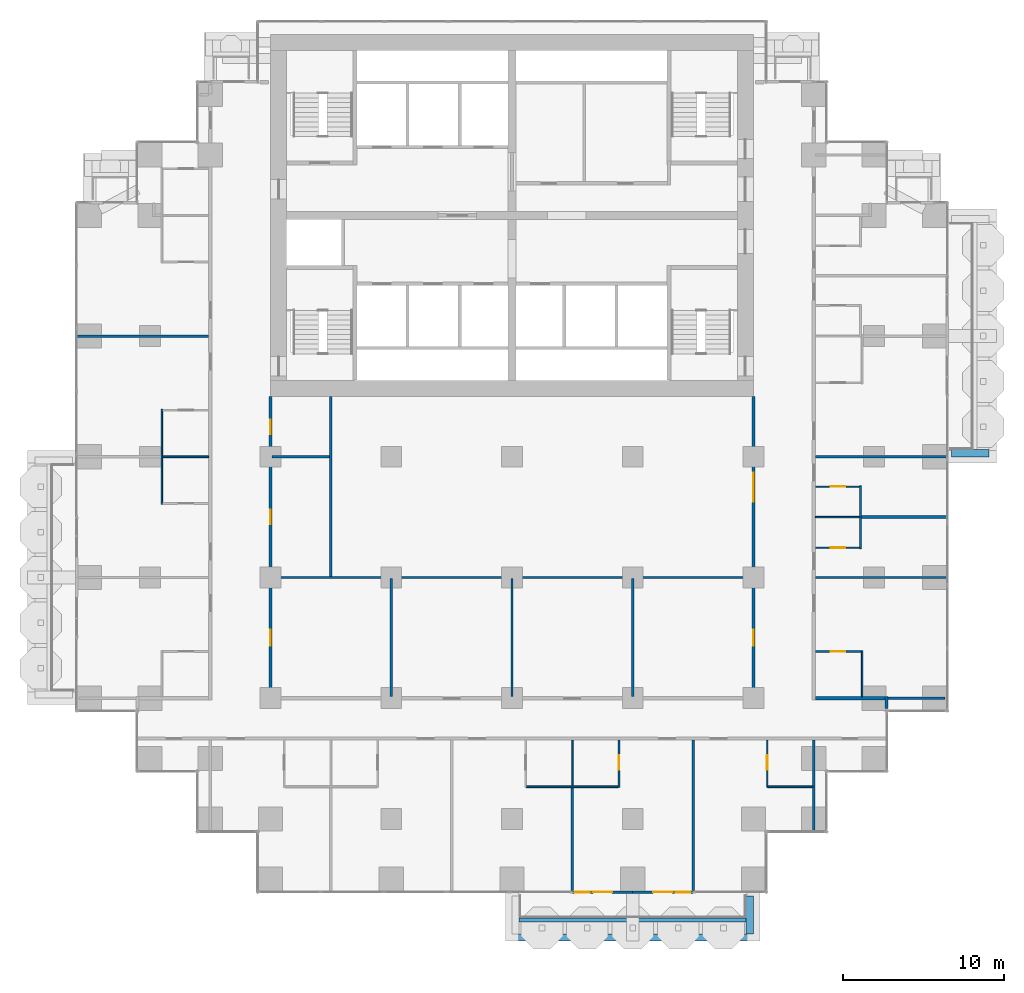
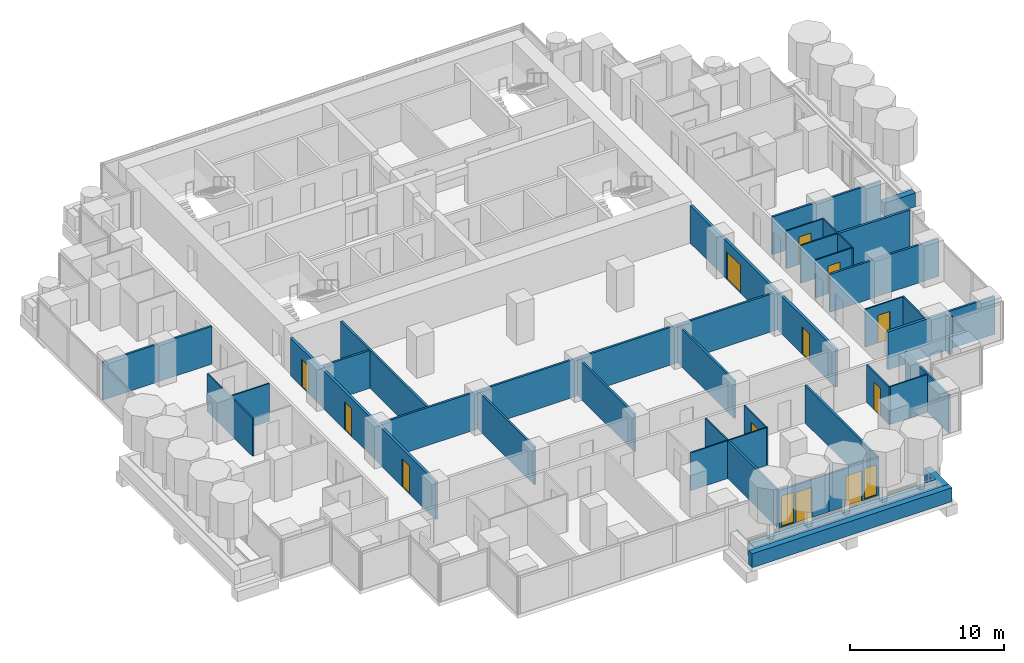
# One storey, part 12 of 19: 37 walls, 12 doors, 2 windows, 14 openings.
"""IFC4 building model written with IfcOpenShell, lengths in metres."""

from ifc_helpers import new_model, si_unit, direction, frame, frame_2d, origin, place, context, subcontext, project, spatial, rectangle, extrude, material, layer, layer_set, type_object, element, fill, save


model = new_model("IFC4")

# Units and contexts
model_context = context("Model", 3, precision=1e-05, world=origin(), true_north=direction((0.0, 1.0)))
body_context = subcontext(model_context, "Body", "Model", "MODEL_VIEW")
ifc_project = project(units=[si_unit("LENGTHUNIT", "METRE"), si_unit("AREAUNIT", "SQUARE_METRE"), si_unit("VOLUMEUNIT", "CUBIC_METRE"), si_unit("PLANEANGLEUNIT", "RADIAN"), si_unit("MASSUNIT", "GRAM", prefix="KILO")], contexts=[model_context])

# Site, building, storey
site_placement = place(None, origin())
site = spatial("IfcSite", under=ifc_project, at=site_placement, CompositionType="ELEMENT")
building_placement = place(site_placement, origin())
building = spatial("IfcBuilding", under=site, at=building_placement, Name="Pilkhan Gate Tower", CompositionType="ELEMENT")
storey_placement = place(building_placement, frame((0.0, 0.0, 79.10009765625)))
storey = spatial("IfcBuildingStorey", under=building, at=storey_placement, Name="L18", CompositionType="ELEMENT", Elevation=79.10009765625)

# Walls
ifc_material_1 = material(Name="Dense blockwork", Category="masonry")
ifc_layer_1 = layer(ifc_material_1, 0.175048828125)
ifc_layer_set_1 = layer_set([ifc_layer_1], Name="Acoustic party wall PW175")
wall_type_1 = type_object("IfcWallType", Name="Acoustic party wall PW175", PredefinedType="PARTITIONING", material=ifc_layer_set_1)
wall_1_placement = place(storey_placement, frame((96.699951171875, 63.75, 0.0), z_axis=(0.0, 0.0, 1.0), x_axis=(1.0, 0.0, 0.0)))
element("IfcWall", 1, at=wall_1_placement, inside=storey, type_object=wall_type_1, Name="Partition L18", PredefinedType="PARTITIONING", context=body_context, shape_type="SweptSolid", body=[
    extrude(rectangle(XDim=5.31494140625, YDim=0.175048828125, at=frame_2d((2.657470703125, 0.0))), origin(), (0.0, 0.0, 1.0), 3.0),
])
ifc_material_2 = material(Name="Concrete C40/50", Category="concrete")
ifc_layer_2 = layer(ifc_material_2, 0.25)
ifc_layer_set_2 = layer_set([ifc_layer_2], Name="Balcony planter BP250")
wall_type_2 = type_object("IfcWallType", Name="Balcony planter BP250", PredefinedType="USERDEFINED", material=ifc_layer_set_2)
wall_2_placement = place(storey_placement, frame((75.449951171875, 38.72509765625, 0.0), z_axis=(0.0, 0.0, 1.0), x_axis=(1.0, 0.0, 0.0)))
element("IfcWall", 2, at=wall_2_placement, inside=storey, type_object=wall_type_2, Name="Balcony planter L18 S", ObjectType="BALCONY PLANTER", PredefinedType="USERDEFINED", context=body_context, shape_type="SweptSolid", body=[
    extrude(rectangle(XDim=14.10009765625, YDim=0.25, at=frame_2d((7.050048828125, 0.0))), origin(), (0.0, 0.0, 1.0), 1.0),
])
ifc_material_3 = material(Name="Board-marked Concrete C40/50", Category="concrete")
ifc_layer_3 = layer(ifc_material_3, 0.449951171875)
ifc_layer_set_3 = layer_set([ifc_layer_3], Name="Balcony planter lip BL450")
wall_type_3 = type_object("IfcWallType", Name="Balcony planter lip BL450", PredefinedType="USERDEFINED", material=ifc_layer_set_3)
wall_3_placement = place(storey_placement, frame((75.0, 37.625, 0.0), z_axis=(0.0, 0.0, 1.0), x_axis=(1.0, 0.0, 0.0)))
element("IfcWall", 3, at=wall_3_placement, inside=storey, type_object=wall_type_3, Name="Balcony planter L18 S", ObjectType="BALCONY PLANTER", PredefinedType="USERDEFINED", context=body_context, shape_type="SweptSolid", body=[
    extrude(rectangle(XDim=15.0, YDim=0.449951171875, at=frame_2d((7.5, 0.0))), origin(), (0.0, 0.0, 1.0), 1.099853515625),
])
for number, where, z_axis, x_axis, name in (
    (4, (89.77490234375, 40.199951171875, 0.0), (0.0, 0.0, 1.0), (0.0, -1.0, 0.0), "Balcony planter L18 S"),
    (5, (102.300048828125, 67.72509765625, 0.0), (0.0, 0.0, 1.0), (1.0, 0.0, 0.0), "Balcony planter L18 E"),
):
    element("IfcWall", number, at=place(storey_placement, frame(where, z_axis=z_axis, x_axis=x_axis)), inside=storey, type_object=wall_type_3, Name=name, ObjectType="BALCONY PLANTER", PredefinedType="USERDEFINED", context=body_context, shape_type="SweptSolid", body=[
        extrude(rectangle(XDim=2.349853515625, YDim=0.449951171875, at=frame_2d((1.1748046875, 0.0))), origin(), (0.0, 0.0, 1.0), 1.099853515625),
    ])
ifc_layer_4 = layer(ifc_material_1, 0.199951171875)
ifc_layer_set_4 = layer_set([ifc_layer_4], Name="Corridor wall FW200")
wall_type_4 = type_object("IfcWallType", Name="Corridor wall FW200", PredefinedType="PARTITIONING", material=ifc_layer_set_4)
wall_4_placement = place(storey_placement, frame((93.85009765625, 52.5, 0.0), z_axis=(0.0, 0.0, 1.0), x_axis=(1.0, 0.0, 0.0)))
element("IfcWall", 6, at=wall_4_placement, inside=storey, type_object=wall_type_4, Name="Partition L18", PredefinedType="PARTITIONING", context=body_context, shape_type="SweptSolid", body=[
    extrude(rectangle(XDim=4.31494140625, YDim=0.199951171875, at=frame_2d((2.157470703125, 0.0))), origin(), (0.0, 0.0, 1.0), 3.0),
])

# Wall, openings, doors
wall_5_placement = place(storey_placement, frame((60.0, 52.39990234375, 0.0), z_axis=(0.0, 0.0, 1.0), x_axis=(0.0, 1.0, 0.0)))
wall_5 = element("IfcWall", 7, at=wall_5_placement, inside=storey, type_object=wall_type_4, Name="Partition L18", PredefinedType="PARTITIONING", context=body_context, shape_type="SweptSolid", body=[
    extrude(rectangle(XDim=18.840087890625, YDim=0.199951171875, at=frame_2d((9.419921875, 0.0))), origin(), (0.0, 0.0, 1.0), 3.0),
])
opening_1_placement = place(wall_5_placement, frame((3.35009765625, 0.0, 0.0)))
opening_1 = element("IfcOpeningElement", 8, at=opening_1_placement, cuts=wall_5, Name="Opening L18-47", PredefinedType="OPENING", context=body_context, shape_type="SweptSolid", body=[
    extrude(rectangle(XDim=1.0, YDim=2.199951171875, at=frame_2d((0.5, 1.10009765625))), frame((0.0, 0.10986328125, 0.0), z_axis=(0.0, -1.0, 0.0), x_axis=(1.0, 0.0, 0.0)), (0.0, 0.0, 1.0), 0.219970703125),
])
opening_2_placement = place(wall_5_placement, frame((10.89990234375, 0.0, 0.0)))
opening_2 = element("IfcOpeningElement", 9, at=opening_2_placement, cuts=wall_5, Name="Opening L18-51", PredefinedType="OPENING", context=body_context, shape_type="SweptSolid", body=[
    extrude(rectangle(XDim=0.89990234375, YDim=2.199951171875, at=frame_2d((0.449951171875, 1.10009765625))), frame((0.0, 0.10986328125, 0.0), z_axis=(0.0, -1.0, 0.0), x_axis=(1.0, 0.0, 0.0)), (0.0, 0.0, 1.0), 0.219970703125),
])
opening_3_placement = place(wall_5_placement, frame((16.5, 0.0, 0.0)))
opening_3 = element("IfcOpeningElement", 10, at=opening_3_placement, cuts=wall_5, Name="Opening L18-52", PredefinedType="OPENING", context=body_context, shape_type="SweptSolid", body=[
    extrude(rectangle(XDim=0.89990234375, YDim=2.199951171875, at=frame_2d((0.449951171875, 1.10009765625))), frame((0.0, 0.10986328125, 0.0), z_axis=(0.0, -1.0, 0.0), x_axis=(1.0, 0.0, 0.0)), (0.0, 0.0, 1.0), 0.219970703125),
])
ifc_material_4 = material(Name="Timber flush door, 30 minute fire resisting", Category="wood")
door_type_1 = type_object("IfcDoorType", Name="Room door D03 1000x2200", OperationType="SINGLE_SWING_LEFT", PredefinedType="DOOR", material=ifc_material_4)
door_1_placement = place(opening_1_placement, origin())
door_1 = element("IfcDoor", 11, at=door_1_placement, inside=storey, type_object=door_type_1, Name="Room door", OperationType="SINGLE_SWING_LEFT", OverallHeight=2.199951171875, OverallWidth=1.0, PredefinedType="DOOR", context=body_context, shape_type="SweptSolid", body=[
    extrude(rectangle(XDim=1.0, YDim=2.199951171875, at=frame_2d((0.5, 1.10009765625))), frame((0.0, 0.02490234375, 0.0), z_axis=(0.0, -1.0, 0.0), x_axis=(1.0, 0.0, 0.0)), (0.0, 0.0, 1.0), 0.050048828125),
])
fill(opening_1, door_1)
ifc_material_5 = material(Name="Timber flush door, 60 minute fire resisting, self-closing", Category="wood")
door_type_2 = type_object("IfcDoorType", Name="Store door D05 900x2200", OperationType="SINGLE_SWING_LEFT", PredefinedType="DOOR", material=ifc_material_5)
door_2_placement = place(opening_2_placement, origin())
door_2 = element("IfcDoor", 12, at=door_2_placement, inside=storey, type_object=door_type_2, Name="Store door", OperationType="SINGLE_SWING_RIGHT", OverallHeight=2.199951171875, OverallWidth=0.89990234375, PredefinedType="DOOR", context=body_context, shape_type="SweptSolid", body=[
    extrude(rectangle(XDim=0.89990234375, YDim=2.199951171875, at=frame_2d((0.449951171875, 1.10009765625))), frame((0.0, 0.02490234375, 0.0), z_axis=(0.0, -1.0, 0.0), x_axis=(1.0, 0.0, 0.0)), (0.0, 0.0, 1.0), 0.050048828125),
])
fill(opening_2, door_2)
door_3_placement = place(opening_3_placement, origin())
door_3 = element("IfcDoor", 13, at=door_3_placement, inside=storey, type_object=door_type_2, Name="Store door", OperationType="SINGLE_SWING_LEFT", OverallHeight=2.199951171875, OverallWidth=0.89990234375, PredefinedType="DOOR", context=body_context, shape_type="SweptSolid", body=[
    extrude(rectangle(XDim=0.89990234375, YDim=2.199951171875, at=frame_2d((0.449951171875, 1.10009765625))), frame((0.0, 0.02490234375, 0.0), z_axis=(0.0, -1.0, 0.0), x_axis=(1.0, 0.0, 0.0)), (0.0, 0.0, 1.0), 0.050048828125),
])
fill(opening_3, door_3)

wall_6_placement = place(storey_placement, frame((90.0, 52.39990234375, 0.0), z_axis=(0.0, 0.0, 1.0), x_axis=(0.0, 1.0, 0.0)))
wall_6 = element("IfcWall", 14, at=wall_6_placement, inside=storey, type_object=wall_type_4, Name="Partition L18", PredefinedType="PARTITIONING", context=body_context, shape_type="SweptSolid", body=[
    extrude(rectangle(XDim=18.840087890625, YDim=0.199951171875, at=frame_2d((9.419921875, 0.0))), origin(), (0.0, 0.0, 1.0), 3.0),
])
opening_4_placement = place(wall_6_placement, frame((3.35009765625, 0.0, 0.0)))
opening_4 = element("IfcOpeningElement", 15, at=opening_4_placement, cuts=wall_6, Name="Opening L18-50", PredefinedType="OPENING", context=body_context, shape_type="SweptSolid", body=[
    extrude(rectangle(XDim=1.0, YDim=2.199951171875, at=frame_2d((0.5, 1.10009765625))), frame((0.0, 0.10986328125, 0.0), z_axis=(0.0, -1.0, 0.0), x_axis=(1.0, 0.0, 0.0)), (0.0, 0.0, 1.0), 0.219970703125),
])
opening_5_placement = place(wall_6_placement, frame((12.300048828125, 0.0, 0.0)))
opening_5 = element("IfcOpeningElement", 16, at=opening_5_placement, cuts=wall_6, Name="Opening L18-53", PredefinedType="OPENING", context=body_context, shape_type="SweptSolid", body=[
    extrude(rectangle(XDim=1.800048828125, YDim=2.199951171875, at=frame_2d((0.89990234375, 1.10009765625))), frame((0.0, 0.10986328125, 0.0), z_axis=(0.0, -1.0, 0.0), x_axis=(1.0, 0.0, 0.0)), (0.0, 0.0, 1.0), 0.219970703125),
])
ifc_material_6 = material(Name="Timber glazed double door, 30 minute fire resisting", Category="wood")
door_type_3 = type_object("IfcDoorType", Name="Double door D04 1800x2200", OperationType="DOUBLE_DOOR_SINGLE_SWING", PredefinedType="DOOR", material=ifc_material_6)
door_4_placement = place(opening_5_placement, origin())
door_4 = element("IfcDoor", 17, at=door_4_placement, inside=storey, type_object=door_type_3, Name="Double door", OperationType="DOUBLE_DOOR_SINGLE_SWING", OverallHeight=2.199951171875, OverallWidth=1.800048828125, PredefinedType="DOOR", context=body_context, shape_type="SweptSolid", body=[
    extrude(rectangle(XDim=1.800048828125, YDim=2.199951171875, at=frame_2d((0.89990234375, 1.10009765625))), frame((0.0, 0.02490234375, 0.0), z_axis=(0.0, -1.0, 0.0), x_axis=(1.0, 0.0, 0.0)), (0.0, 0.0, 1.0), 0.050048828125),
])
fill(opening_5, door_4)
door_5_placement = place(opening_4_placement, origin())
door_5 = element("IfcDoor", 18, at=door_5_placement, inside=storey, type_object=door_type_1, Name="Room door", OperationType="SINGLE_SWING_RIGHT", OverallHeight=2.199951171875, OverallWidth=1.0, PredefinedType="DOOR", context=body_context, shape_type="SweptSolid", body=[
    extrude(rectangle(XDim=1.0, YDim=2.199951171875, at=frame_2d((0.5, 1.10009765625))), frame((0.0, 0.02490234375, 0.0), z_axis=(0.0, -1.0, 0.0), x_axis=(1.0, 0.0, 0.0)), (0.0, 0.0, 1.0), 0.050048828125),
])
fill(opening_4, door_5)

# Wall
wall_7_placement = place(storey_placement, frame((98.264892578125, 51.85498046875, 0.0), z_axis=(0.0, 0.0, 1.0), x_axis=(0.0, 1.0, 0.0)))
element("IfcWall", 19, at=wall_7_placement, inside=storey, type_object=wall_type_4, Name="Partition L18", PredefinedType="PARTITIONING", context=body_context, shape_type="SweptSolid", body=[
    extrude(rectangle(XDim=0.7451171875, YDim=0.199951171875, at=frame_2d((0.37255859375, 0.0))), origin(), (0.0, 0.0, 1.0), 3.0),
])

# Wall, openings, door, window
ifc_material_7 = material(Name="Pale anodised aluminium, clear laminated glazing", Category="aluminium")
ifc_layer_5 = layer(ifc_material_7, 0.14990234375)
ifc_layer_set_5 = layer_set([ifc_layer_5], Name="Facade infill wall IW150")
wall_type_5 = type_object("IfcWallType", Name="Facade infill wall IW150", PredefinedType="SOLIDWALL", material=ifc_layer_set_5)
wall_8_placement = place(storey_placement, frame((78.75, 40.455078125, 0.0), z_axis=(0.0, 0.0, 1.0), x_axis=(1.0, 0.0, 0.0)))
wall_8 = element("IfcWall", 20, at=wall_8_placement, inside=storey, type_object=wall_type_5, Name="Infill wall L18 S", PredefinedType="SOLIDWALL", context=body_context, shape_type="SweptSolid", body=[
    extrude(rectangle(XDim=3.75, YDim=0.14990234375, at=frame_2d((1.875, 0.0))), origin(), (0.0, 0.0, 1.0), 3.0),
])
opening_6_placement = place(wall_8_placement, frame((0.1875, 0.0, 0.10009765625)))
opening_6 = element("IfcOpeningElement", 21, at=opening_6_placement, cuts=wall_8, Name="Opening W1", PredefinedType="OPENING", context=body_context, shape_type="SweptSolid", body=[
    extrude(rectangle(XDim=0.89990234375, YDim=2.39990234375, at=frame_2d((0.449951171875, 1.199951171875))), frame((0.0, 0.0849609375, 0.0), z_axis=(0.0, -1.0, 0.0), x_axis=(1.0, 0.0, 0.0)), (0.0, 0.0, 1.0), 0.169921875),
])
opening_7_placement = place(wall_8_placement, frame((1.27490234375, 0.0, 0.0)))
opening_7 = element("IfcOpeningElement", 22, at=opening_7_placement, cuts=wall_8, Name="Opening D1", PredefinedType="OPENING", context=body_context, shape_type="SweptSolid", body=[
    extrude(rectangle(XDim=1.199951171875, YDim=2.39990234375, at=frame_2d((0.60009765625, 1.199951171875))), frame((0.0, 0.0849609375, 0.0), z_axis=(0.0, -1.0, 0.0), x_axis=(1.0, 0.0, 0.0)), (0.0, 0.0, 1.0), 0.169921875),
])
ifc_material_8 = material(Name="Pale anodised aluminium, clear glazing", Category="aluminium")
door_type_4 = type_object("IfcDoorType", Name="Balcony door D1 1200x2400", OperationType="SINGLE_SWING_LEFT", PredefinedType="DOOR", material=ifc_material_8)
door_6_placement = place(opening_7_placement, origin())
door_6 = element("IfcDoor", 23, at=door_6_placement, inside=storey, type_object=door_type_4, Name="Balcony door L18", OperationType="SINGLE_SWING_LEFT", OverallHeight=2.39990234375, OverallWidth=1.199951171875, PredefinedType="DOOR", context=body_context, shape_type="SweptSolid", body=[
    extrude(rectangle(XDim=1.199951171875, YDim=2.39990234375, at=frame_2d((0.60009765625, 1.199951171875))), frame((0.0, 0.02490234375, 0.0), z_axis=(0.0, -1.0, 0.0), x_axis=(1.0, 0.0, 0.0)), (0.0, 0.0, 1.0), 0.050048828125),
])
fill(opening_7, door_6)
ifc_material_9 = material(Name="Pale anodised aluminium, clear double glazing", Category="aluminium")
window_type = type_object("IfcWindowType", Name="Window W1 900x2400", PartitioningType="SINGLE_PANEL", PredefinedType="WINDOW", material=ifc_material_9)
window_1_placement = place(opening_6_placement, origin())
window_1 = element("IfcWindow", 24, at=window_1_placement, inside=storey, type_object=window_type, Name="Window L18", OverallHeight=2.39990234375, OverallWidth=0.89990234375, PartitioningType="SINGLE_PANEL", PredefinedType="WINDOW", context=body_context, shape_type="SweptSolid", body=[
    extrude(rectangle(XDim=0.89990234375, YDim=2.39990234375, at=frame_2d((0.449951171875, 1.199951171875))), frame((0.0, 0.030029296875, 0.0), z_axis=(0.0, -1.0, 0.0), x_axis=(1.0, 0.0, 0.0)), (0.0, 0.0, 1.0), 0.06005859375),
])
fill(opening_6, window_1)

wall_9_placement = place(storey_placement, frame((82.5, 40.455078125, 0.0), z_axis=(0.0, 0.0, 1.0), x_axis=(1.0, 0.0, 0.0)))
wall_9 = element("IfcWall", 25, at=wall_9_placement, inside=storey, type_object=wall_type_5, Name="Infill wall L18 S", PredefinedType="SOLIDWALL", context=body_context, shape_type="SweptSolid", body=[
    extrude(rectangle(XDim=3.75, YDim=0.14990234375, at=frame_2d((1.875, 0.0))), origin(), (0.0, 0.0, 1.0), 3.0),
])
opening_8_placement = place(wall_9_placement, frame((1.27490234375, 0.0, 0.0)))
opening_8 = element("IfcOpeningElement", 26, at=opening_8_placement, cuts=wall_9, Name="Opening D1", PredefinedType="OPENING", context=body_context, shape_type="SweptSolid", body=[
    extrude(rectangle(XDim=1.199951171875, YDim=2.39990234375, at=frame_2d((0.60009765625, 1.199951171875))), frame((0.0, 0.0849609375, 0.0), z_axis=(0.0, -1.0, 0.0), x_axis=(1.0, 0.0, 0.0)), (0.0, 0.0, 1.0), 0.169921875),
])
opening_9_placement = place(wall_9_placement, frame((2.66259765625, 0.0, 0.10009765625)))
opening_9 = element("IfcOpeningElement", 27, at=opening_9_placement, cuts=wall_9, Name="Opening W1", PredefinedType="OPENING", context=body_context, shape_type="SweptSolid", body=[
    extrude(rectangle(XDim=0.89990234375, YDim=2.39990234375, at=frame_2d((0.449951171875, 1.199951171875))), frame((0.0, 0.0849609375, 0.0), z_axis=(0.0, -1.0, 0.0), x_axis=(1.0, 0.0, 0.0)), (0.0, 0.0, 1.0), 0.169921875),
])
door_7_placement = place(opening_8_placement, origin())
door_7 = element("IfcDoor", 28, at=door_7_placement, inside=storey, type_object=door_type_4, Name="Balcony door L18", OperationType="SINGLE_SWING_LEFT", OverallHeight=2.39990234375, OverallWidth=1.199951171875, PredefinedType="DOOR", context=body_context, shape_type="SweptSolid", body=[
    extrude(rectangle(XDim=1.199951171875, YDim=2.39990234375, at=frame_2d((0.60009765625, 1.199951171875))), frame((0.0, 0.02490234375, 0.0), z_axis=(0.0, -1.0, 0.0), x_axis=(1.0, 0.0, 0.0)), (0.0, 0.0, 1.0), 0.050048828125),
])
fill(opening_8, door_7)
window_2_placement = place(opening_9_placement, origin())
window_2 = element("IfcWindow", 29, at=window_2_placement, inside=storey, type_object=window_type, Name="Window L18", OverallHeight=2.39990234375, OverallWidth=0.89990234375, PartitioningType="SINGLE_PANEL", PredefinedType="WINDOW", context=body_context, shape_type="SweptSolid", body=[
    extrude(rectangle(XDim=0.89990234375, YDim=2.39990234375, at=frame_2d((0.449951171875, 1.199951171875))), frame((0.0, 0.030029296875, 0.0), z_axis=(0.0, -1.0, 0.0), x_axis=(1.0, 0.0, 0.0)), (0.0, 0.0, 1.0), 0.06005859375),
])
fill(opening_9, window_2)

# Walls
ifc_material_10 = material(Name="Blockwork partition, plastered both sides", Category="masonry")
ifc_layer_6 = layer(ifc_material_10, 0.14990234375)
ifc_layer_set_6 = layer_set([ifc_layer_6], Name="Partition PW150")
wall_type_6 = type_object("IfcWallType", Name="Partition PW150", PredefinedType="PARTITIONING", material=ifc_layer_set_6)
wall_10_placement = place(storey_placement, frame((98.364990234375, 52.5, 0.0), z_axis=(0.0, 0.0, 1.0), x_axis=(1.0, 0.0, 0.0)))
element("IfcWall", 30, at=wall_10_placement, inside=storey, type_object=wall_type_6, Name="Partition L18", PredefinedType="PARTITIONING", context=body_context, shape_type="SweptSolid", body=[
    extrude(rectangle(XDim=3.530029296875, YDim=0.14990234375, at=frame_2d((1.76513671875, 0.0))), origin(), (0.0, 0.0, 1.0), 3.0),
])
wall_11_placement = place(storey_placement, frame((60.10009765625, 60.0, 0.0), z_axis=(0.0, 0.0, 1.0), x_axis=(1.0, 0.0, 0.0)))
element("IfcWall", 31, at=wall_11_placement, inside=storey, type_object=wall_type_6, Name="Partition L18", PredefinedType="PARTITIONING", context=body_context, shape_type="SweptSolid", body=[
    extrude(rectangle(XDim=29.7998046875, YDim=0.14990234375, at=frame_2d((14.89990234375, 0.0))), origin(), (0.0, 0.0, 1.0), 3.0),
])
wall_12_placement = place(storey_placement, frame((93.85009765625, 60.0, 0.0), z_axis=(0.0, 0.0, 1.0), x_axis=(1.0, 0.0, 0.0)))
element("IfcWall", 32, at=wall_12_placement, inside=storey, type_object=wall_type_6, Name="Partition L18", PredefinedType="PARTITIONING", context=body_context, shape_type="SweptSolid", body=[
    extrude(rectangle(XDim=8.164794921875, YDim=0.14990234375, at=frame_2d((4.08251953125, 0.0))), origin(), (0.0, 0.0, 1.0), 3.0),
])
wall_13_placement = place(storey_placement, frame((60.10009765625, 67.5, 0.0), z_axis=(0.0, 0.0, 1.0), x_axis=(1.0, 0.0, 0.0)))
element("IfcWall", 33, at=wall_13_placement, inside=storey, type_object=wall_type_6, Name="Partition L18", PredefinedType="PARTITIONING", context=body_context, shape_type="SweptSolid", body=[
    extrude(rectangle(XDim=3.574951171875, YDim=0.14990234375, at=frame_2d((1.78759765625, 0.0))), origin(), (0.0, 0.0, 1.0), 3.0),
])
for number, where, z_axis, x_axis, name in (
    (34, (93.85009765625, 67.5, 0.0), (0.0, 0.0, 1.0), (1.0, 0.0, 0.0), "Partition L18"),
    (35, (47.985107421875, 75.0, 0.0), (0.0, 0.0, 1.0), (1.0, 0.0, 0.0), "Partition L18"),
):
    element("IfcWall", number, at=place(storey_placement, frame(where, z_axis=z_axis, x_axis=x_axis)), inside=storey, type_object=wall_type_6, Name=name, PredefinedType="PARTITIONING", context=body_context, shape_type="SweptSolid", body=[
        extrude(rectangle(XDim=8.164794921875, YDim=0.14990234375, at=frame_2d((4.08251953125, 0.0))), origin(), (0.0, 0.0, 1.0), 3.0),
    ])
wall_14_placement = place(storey_placement, frame((63.75, 60.074951171875, 0.0), z_axis=(0.0, 0.0, 1.0), x_axis=(0.0, 1.0, 0.0)))
element("IfcWall", 36, at=wall_14_placement, inside=storey, type_object=wall_type_6, Name="Partition L18", PredefinedType="PARTITIONING", context=body_context, shape_type="SweptSolid", body=[
    extrude(rectangle(XDim=11.1650390625, YDim=0.14990234375, at=frame_2d((5.58251953125, 0.0))), origin(), (0.0, 0.0, 1.0), 3.0),
])
for number, where, z_axis, x_axis, name in (
    (37, (67.5, 52.60009765625, 0.0), (0.0, 0.0, 1.0), (0.0, 1.0, 0.0), "Partition L18"),
    (38, (75.0, 52.60009765625, 0.0), (0.0, 0.0, 1.0), (0.0, 1.0, 0.0), "Partition L18"),
):
    element("IfcWall", number, at=place(storey_placement, frame(where, z_axis=z_axis, x_axis=x_axis)), inside=storey, type_object=wall_type_6, Name=name, PredefinedType="PARTITIONING", context=body_context, shape_type="SweptSolid", body=[
        extrude(rectangle(XDim=7.324951171875, YDim=0.14990234375, at=frame_2d((3.66259765625, 0.0))), origin(), (0.0, 0.0, 1.0), 3.0),
    ])
wall_15_placement = place(storey_placement, frame((78.75, 40.5400390625, 0.0), z_axis=(0.0, 0.0, 1.0), x_axis=(0.0, 1.0, 0.0)))
element("IfcWall", 39, at=wall_15_placement, inside=storey, type_object=wall_type_6, Name="Partition L18", PredefinedType="PARTITIONING", context=body_context, shape_type="SweptSolid", body=[
    extrude(rectangle(XDim=6.409912109375, YDim=0.14990234375, at=frame_2d((3.205078125, 0.0))), origin(), (0.0, 0.0, 1.0), 3.0),
])
wall_16_placement = place(storey_placement, frame((82.5, 52.60009765625, 0.0), z_axis=(0.0, 0.0, 1.0), x_axis=(0.0, 1.0, 0.0)))
element("IfcWall", 40, at=wall_16_placement, inside=storey, type_object=wall_type_6, Name="Partition L18", PredefinedType="PARTITIONING", context=body_context, shape_type="SweptSolid", body=[
    extrude(rectangle(XDim=7.324951171875, YDim=0.14990234375, at=frame_2d((3.66259765625, 0.0))), origin(), (0.0, 0.0, 1.0), 3.0),
])
wall_17_placement = place(storey_placement, frame((86.25, 40.5400390625, 0.0), z_axis=(0.0, 0.0, 1.0), x_axis=(0.0, 1.0, 0.0)))
element("IfcWall", 41, at=wall_17_placement, inside=storey, type_object=wall_type_6, Name="Partition L18", PredefinedType="PARTITIONING", context=body_context, shape_type="SweptSolid", body=[
    extrude(rectangle(XDim=9.35986328125, YDim=0.14990234375, at=frame_2d((4.679931640625, 0.0))), origin(), (0.0, 0.0, 1.0), 3.0),
])
wall_18_placement = place(storey_placement, frame((93.75, 44.235107421875, 0.0), z_axis=(0.0, 0.0, 1.0), x_axis=(0.0, 1.0, 0.0)))
element("IfcWall", 42, at=wall_18_placement, inside=storey, type_object=wall_type_6, Name="Partition L18", PredefinedType="PARTITIONING", context=body_context, shape_type="SweptSolid", body=[
    extrude(rectangle(XDim=5.664794921875, YDim=0.14990234375, at=frame_2d((2.83251953125, 0.0))), origin(), (0.0, 0.0, 1.0), 3.0),
])
ifc_material_11 = material(Name="Moisture resistant board, tiled")
ifc_layer_7 = layer(ifc_material_11, 0.10009765625)
ifc_layer_set_7 = layer_set([ifc_layer_7], Name="Wet wall PW100")
wall_type_7 = type_object("IfcWallType", Name="Wet wall PW100", PredefinedType="PARTITIONING", material=ifc_layer_set_7)
wall_19_placement = place(storey_placement, frame((75.89990234375, 47.0, 0.0), z_axis=(0.0, 0.0, 1.0), x_axis=(1.0, 0.0, 0.0)))
element("IfcWall", 43, at=wall_19_placement, inside=storey, type_object=wall_type_7, Name="Partition L18", PredefinedType="PARTITIONING", context=body_context, shape_type="SweptSolid", body=[
    extrude(rectangle(XDim=5.7001953125, YDim=0.10009765625, at=frame_2d((2.85009765625, 0.0))), origin(), (0.0, 0.0, 1.0), 3.0),
])
wall_20_placement = place(storey_placement, frame((90.89990234375, 47.0, 0.0), z_axis=(0.0, 0.0, 1.0), x_axis=(1.0, 0.0, 0.0)))
element("IfcWall", 44, at=wall_20_placement, inside=storey, type_object=wall_type_7, Name="Partition L18", PredefinedType="PARTITIONING", context=body_context, shape_type="SweptSolid", body=[
    extrude(rectangle(XDim=2.775146484375, YDim=0.10009765625, at=frame_2d((1.3876953125, 0.0))), origin(), (0.0, 0.0, 1.0), 3.0),
])

# Wall, opening, door
wall_21_placement = place(storey_placement, frame((93.85009765625, 55.39990234375, 0.0), z_axis=(0.0, 0.0, 1.0), x_axis=(1.0, 0.0, 0.0)))
wall_21 = element("IfcWall", 45, at=wall_21_placement, inside=storey, type_object=wall_type_7, Name="Partition L18", PredefinedType="PARTITIONING", context=body_context, shape_type="SweptSolid", body=[
    extrude(rectangle(XDim=2.849853515625, YDim=0.10009765625, at=frame_2d((1.4248046875, 0.0))), origin(), (0.0, 0.0, 1.0), 3.0),
])
opening_10_placement = place(wall_21_placement, frame((0.949951171875, 0.0, 0.0)))
opening_10 = element("IfcOpeningElement", 46, at=opening_10_placement, cuts=wall_21, Name="Opening L18-27", PredefinedType="OPENING", context=body_context, shape_type="SweptSolid", body=[
    extrude(rectangle(XDim=0.89990234375, YDim=2.199951171875, at=frame_2d((0.449951171875, 1.10009765625))), frame((0.0, 0.06005859375, 0.0), z_axis=(0.0, -1.0, 0.0), x_axis=(1.0, 0.0, 0.0)), (0.0, 0.0, 1.0), 0.1201171875),
])
ifc_material_12 = material(Name="Timber flush door", Category="wood")
door_type_5 = type_object("IfcDoorType", Name="Bathroom door D02 900x2200", OperationType="SINGLE_SWING_RIGHT", PredefinedType="DOOR", material=ifc_material_12)
door_8_placement = place(opening_10_placement, origin())
door_8 = element("IfcDoor", 47, at=door_8_placement, inside=storey, type_object=door_type_5, Name="Bathroom door", OperationType="SINGLE_SWING_RIGHT", OverallHeight=2.199951171875, OverallWidth=0.89990234375, PredefinedType="DOOR", context=body_context, shape_type="SweptSolid", body=[
    extrude(rectangle(XDim=0.89990234375, YDim=2.199951171875, at=frame_2d((0.449951171875, 1.10009765625))), frame((0.0, 0.02490234375, 0.0), z_axis=(0.0, -1.0, 0.0), x_axis=(1.0, 0.0, 0.0)), (0.0, 0.0, 1.0), 0.050048828125),
])
fill(opening_10, door_8)

wall_22_placement = place(storey_placement, frame((93.85009765625, 61.85009765625, 0.0), z_axis=(0.0, 0.0, 1.0), x_axis=(1.0, 0.0, 0.0)))
wall_22 = element("IfcWall", 48, at=wall_22_placement, inside=storey, type_object=wall_type_7, Name="Partition L18", PredefinedType="PARTITIONING", context=body_context, shape_type="SweptSolid", body=[
    extrude(rectangle(XDim=2.75, YDim=0.10009765625, at=frame_2d((1.375, 0.0))), origin(), (0.0, 0.0, 1.0), 3.0),
])
opening_11_placement = place(wall_22_placement, frame((0.949951171875, 0.0, 0.0)))
opening_11 = element("IfcOpeningElement", 49, at=opening_11_placement, cuts=wall_22, Name="Opening L18-29", PredefinedType="OPENING", context=body_context, shape_type="SweptSolid", body=[
    extrude(rectangle(XDim=0.89990234375, YDim=2.199951171875, at=frame_2d((0.449951171875, 1.10009765625))), frame((0.0, 0.06005859375, 0.0), z_axis=(0.0, -1.0, 0.0), x_axis=(1.0, 0.0, 0.0)), (0.0, 0.0, 1.0), 0.1201171875),
])
door_9_placement = place(opening_11_placement, origin())
door_9 = element("IfcDoor", 50, at=door_9_placement, inside=storey, type_object=door_type_5, Name="Bathroom door", OperationType="SINGLE_SWING_RIGHT", OverallHeight=2.199951171875, OverallWidth=0.89990234375, PredefinedType="DOOR", context=body_context, shape_type="SweptSolid", body=[
    extrude(rectangle(XDim=0.89990234375, YDim=2.199951171875, at=frame_2d((0.449951171875, 1.10009765625))), frame((0.0, 0.02490234375, 0.0), z_axis=(0.0, -1.0, 0.0), x_axis=(1.0, 0.0, 0.0)), (0.0, 0.0, 1.0), 0.050048828125),
])
fill(opening_11, door_9)

# Wall
wall_23_placement = place(storey_placement, frame((93.85009765625, 63.75, 0.0), z_axis=(0.0, 0.0, 1.0), x_axis=(1.0, 0.0, 0.0)))
element("IfcWall", 51, at=wall_23_placement, inside=storey, type_object=wall_type_7, Name="Partition L18", PredefinedType="PARTITIONING", context=body_context, shape_type="SweptSolid", body=[
    extrude(rectangle(XDim=2.75, YDim=0.10009765625, at=frame_2d((1.375, 0.0))), origin(), (0.0, 0.0, 1.0), 3.0),
])

# Wall, opening, door
wall_24_placement = place(storey_placement, frame((93.85009765625, 65.64990234375, 0.0), z_axis=(0.0, 0.0, 1.0), x_axis=(1.0, 0.0, 0.0)))
wall_24 = element("IfcWall", 52, at=wall_24_placement, inside=storey, type_object=wall_type_7, Name="Partition L18", PredefinedType="PARTITIONING", context=body_context, shape_type="SweptSolid", body=[
    extrude(rectangle(XDim=2.75, YDim=0.10009765625, at=frame_2d((1.375, 0.0))), origin(), (0.0, 0.0, 1.0), 3.0),
])
opening_12_placement = place(wall_24_placement, frame((0.949951171875, 0.0, 0.0)))
opening_12 = element("IfcOpeningElement", 53, at=opening_12_placement, cuts=wall_24, Name="Opening L18-31", PredefinedType="OPENING", context=body_context, shape_type="SweptSolid", body=[
    extrude(rectangle(XDim=0.89990234375, YDim=2.199951171875, at=frame_2d((0.449951171875, 1.10009765625))), frame((0.0, 0.06005859375, 0.0), z_axis=(0.0, -1.0, 0.0), x_axis=(1.0, 0.0, 0.0)), (0.0, 0.0, 1.0), 0.1201171875),
])
door_10_placement = place(opening_12_placement, origin())
door_10 = element("IfcDoor", 54, at=door_10_placement, inside=storey, type_object=door_type_5, Name="Bathroom door", OperationType="SINGLE_SWING_RIGHT", OverallHeight=2.199951171875, OverallWidth=0.89990234375, PredefinedType="DOOR", context=body_context, shape_type="SweptSolid", body=[
    extrude(rectangle(XDim=0.89990234375, YDim=2.199951171875, at=frame_2d((0.449951171875, 1.10009765625))), frame((0.0, 0.02490234375, 0.0), z_axis=(0.0, -1.0, 0.0), x_axis=(1.0, 0.0, 0.0)), (0.0, 0.0, 1.0), 0.050048828125),
])
fill(opening_12, door_10)

# Walls
wall_25_placement = place(storey_placement, frame((53.300048828125, 67.5, 0.0), z_axis=(0.0, 0.0, 1.0), x_axis=(1.0, 0.0, 0.0)))
element("IfcWall", 55, at=wall_25_placement, inside=storey, type_object=wall_type_7, Name="Partition L18", PredefinedType="PARTITIONING", context=body_context, shape_type="SweptSolid", body=[
    extrude(rectangle(XDim=2.849853515625, YDim=0.10009765625, at=frame_2d((1.4248046875, 0.0))), origin(), (0.0, 0.0, 1.0), 3.0),
])
wall_26_placement = place(storey_placement, frame((53.25, 64.550048828125, 0.0), z_axis=(0.0, 0.0, 1.0), x_axis=(0.0, 1.0, 0.0)))
element("IfcWall", 56, at=wall_26_placement, inside=storey, type_object=wall_type_7, Name="Partition L18", PredefinedType="PARTITIONING", context=body_context, shape_type="SweptSolid", body=[
    extrude(rectangle(XDim=5.89990234375, YDim=0.10009765625, at=frame_2d((2.949951171875, 0.0))), origin(), (0.0, 0.0, 1.0), 3.0),
])
wall_27_placement = place(storey_placement, frame((78.75, 47.050048828125, 0.0), z_axis=(0.0, 0.0, 1.0), x_axis=(0.0, 1.0, 0.0)))
element("IfcWall", 57, at=wall_27_placement, inside=storey, type_object=wall_type_7, Name="Partition L18", PredefinedType="PARTITIONING", context=body_context, shape_type="SweptSolid", body=[
    extrude(rectangle(XDim=2.849853515625, YDim=0.10009765625, at=frame_2d((1.4248046875, 0.0))), origin(), (0.0, 0.0, 1.0), 3.0),
])

# Wall, opening, door
wall_28_placement = place(storey_placement, frame((81.64990234375, 46.949951171875, 0.0), z_axis=(0.0, 0.0, 1.0), x_axis=(0.0, 1.0, 0.0)))
wall_28 = element("IfcWall", 58, at=wall_28_placement, inside=storey, type_object=wall_type_7, Name="Partition L18", PredefinedType="PARTITIONING", context=body_context, shape_type="SweptSolid", body=[
    extrude(rectangle(XDim=2.949951171875, YDim=0.10009765625, at=frame_2d((1.47509765625, 0.0))), origin(), (0.0, 0.0, 1.0), 3.0),
])
opening_13_placement = place(wall_28_placement, frame((1.10009765625, 0.0, 0.0)))
opening_13 = element("IfcOpeningElement", 59, at=opening_13_placement, cuts=wall_28, Name="Opening L18-13", PredefinedType="OPENING", context=body_context, shape_type="SweptSolid", body=[
    extrude(rectangle(XDim=0.89990234375, YDim=2.199951171875, at=frame_2d((0.449951171875, 1.10009765625))), frame((0.0, 0.06005859375, 0.0), z_axis=(0.0, -1.0, 0.0), x_axis=(1.0, 0.0, 0.0)), (0.0, 0.0, 1.0), 0.1201171875),
])
door_11_placement = place(opening_13_placement, origin())
door_11 = element("IfcDoor", 60, at=door_11_placement, inside=storey, type_object=door_type_5, Name="Bathroom door", OperationType="SINGLE_SWING_RIGHT", OverallHeight=2.199951171875, OverallWidth=0.89990234375, PredefinedType="DOOR", context=body_context, shape_type="SweptSolid", body=[
    extrude(rectangle(XDim=0.89990234375, YDim=2.199951171875, at=frame_2d((0.449951171875, 1.10009765625))), frame((0.0, 0.02490234375, 0.0), z_axis=(0.0, -1.0, 0.0), x_axis=(1.0, 0.0, 0.0)), (0.0, 0.0, 1.0), 0.050048828125),
])
fill(opening_13, door_11)

wall_29_placement = place(storey_placement, frame((90.85009765625, 46.949951171875, 0.0), z_axis=(0.0, 0.0, 1.0), x_axis=(0.0, 1.0, 0.0)))
wall_29 = element("IfcWall", 61, at=wall_29_placement, inside=storey, type_object=wall_type_7, Name="Partition L18", PredefinedType="PARTITIONING", context=body_context, shape_type="SweptSolid", body=[
    extrude(rectangle(XDim=2.949951171875, YDim=0.10009765625, at=frame_2d((1.47509765625, 0.0))), origin(), (0.0, 0.0, 1.0), 3.0),
])
opening_14_placement = place(wall_29_placement, frame((1.10009765625, 0.0, 0.0)))
opening_14 = element("IfcOpeningElement", 62, at=opening_14_placement, cuts=wall_29, Name="Opening L18-15", PredefinedType="OPENING", context=body_context, shape_type="SweptSolid", body=[
    extrude(rectangle(XDim=0.89990234375, YDim=2.199951171875, at=frame_2d((0.449951171875, 1.10009765625))), frame((0.0, 0.06005859375, 0.0), z_axis=(0.0, -1.0, 0.0), x_axis=(1.0, 0.0, 0.0)), (0.0, 0.0, 1.0), 0.1201171875),
])
door_12_placement = place(opening_14_placement, origin())
door_12 = element("IfcDoor", 63, at=door_12_placement, inside=storey, type_object=door_type_5, Name="Bathroom door", OperationType="SINGLE_SWING_RIGHT", OverallHeight=2.199951171875, OverallWidth=0.89990234375, PredefinedType="DOOR", context=body_context, shape_type="SweptSolid", body=[
    extrude(rectangle(XDim=0.89990234375, YDim=2.199951171875, at=frame_2d((0.449951171875, 1.10009765625))), frame((0.0, 0.02490234375, 0.0), z_axis=(0.0, -1.0, 0.0), x_axis=(1.0, 0.0, 0.0)), (0.0, 0.0, 1.0), 0.050048828125),
])
fill(opening_14, door_12)

# Walls
wall_30_placement = place(storey_placement, frame((96.64990234375, 61.800048828125, 0.0), z_axis=(0.0, 0.0, 1.0), x_axis=(0.0, 1.0, 0.0)))
element("IfcWall", 64, at=wall_30_placement, inside=storey, type_object=wall_type_7, Name="Partition L18", PredefinedType="PARTITIONING", context=body_context, shape_type="SweptSolid", body=[
    extrude(rectangle(XDim=3.89990234375, YDim=0.10009765625, at=frame_2d((1.949951171875, 0.0))), origin(), (0.0, 0.0, 1.0), 3.0),
])
wall_31_placement = place(storey_placement, frame((96.75, 52.60009765625, 0.0), z_axis=(0.0, 0.0, 1.0), x_axis=(0.0, 1.0, 0.0)))
element("IfcWall", 65, at=wall_31_placement, inside=storey, type_object=wall_type_7, Name="Partition L18", PredefinedType="PARTITIONING", context=body_context, shape_type="SweptSolid", body=[
    extrude(rectangle(XDim=2.849853515625, YDim=0.10009765625, at=frame_2d((1.4248046875, 0.0))), origin(), (0.0, 0.0, 1.0), 3.0),
])

save(model, "model.ifc")
